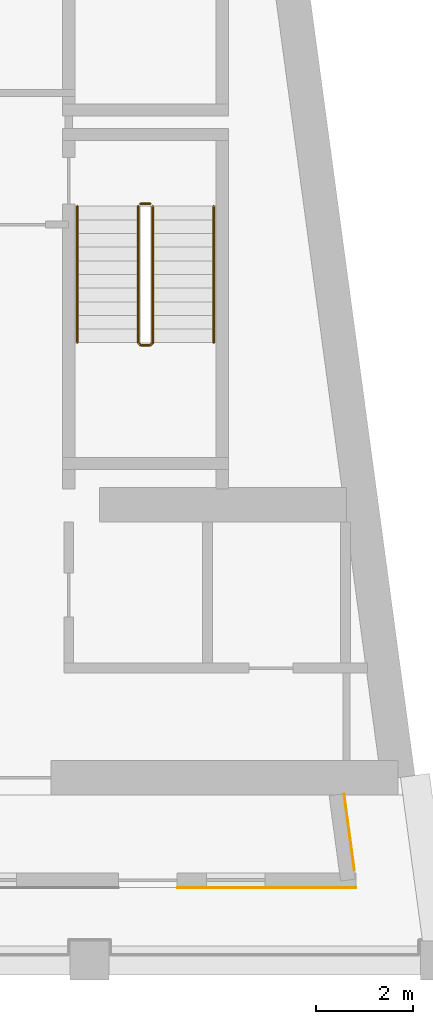
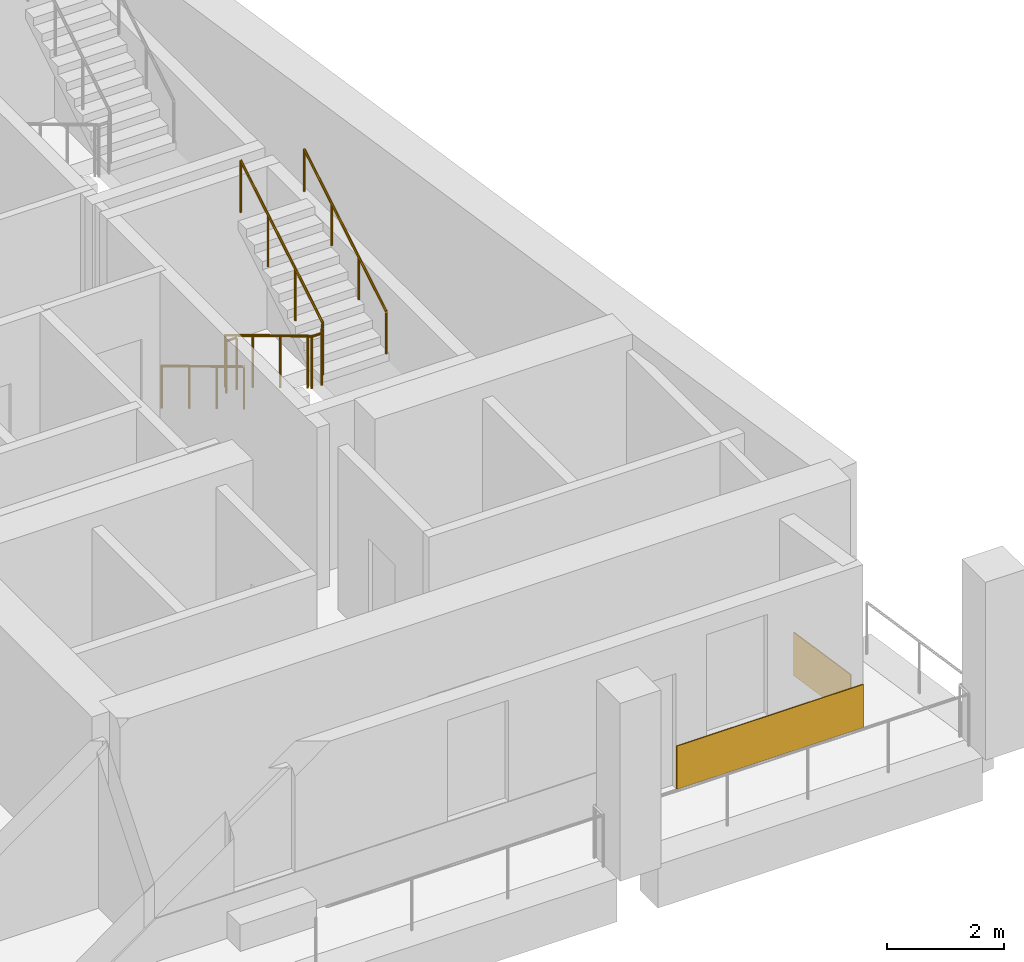
# One storey, part 11 of 14: 4 railings, 2 coverings.
"""IFC4 building model written with IfcOpenShell, lengths in metres."""

from ifc_helpers import new_model, si_unit, direction, frame, origin, origin_2d, place, context, subcontext, project, spatial, rectangle, circle, extrude, material, layer, layer_set, type_object, element, save


model = new_model("IFC4")

# Units and contexts
model_context = context("Model", 3, precision=1e-05, world=origin(), true_north=direction((0.0, 1.0)))
body_context = subcontext(model_context, "Body", "Model", "MODEL_VIEW")
ifc_project = project(units=[si_unit("LENGTHUNIT", "METRE"), si_unit("AREAUNIT", "SQUARE_METRE"), si_unit("VOLUMEUNIT", "CUBIC_METRE"), si_unit("PLANEANGLEUNIT", "RADIAN"), si_unit("MASSUNIT", "GRAM", prefix="KILO")], contexts=[model_context])

# Site, building, storey
site_placement = place(None, origin())
site = spatial("IfcSite", under=ifc_project, at=site_placement, CompositionType="ELEMENT")
building_placement = place(site_placement, origin())
building = spatial("IfcBuilding", under=site, at=building_placement, Name="Candeia Pilgrim Tower and Theatre", CompositionType="ELEMENT")
storey_placement = place(building_placement, frame((0.0, 0.0, 273.800048828125)))
storey = spatial("IfcBuildingStorey", under=building, at=storey_placement, Name="L66", CompositionType="ELEMENT", Elevation=273.800048828125)

# Coverings
ifc_material_1 = material(Name="Glazed ceramic tile bottle green")
ifc_layer = layer(ifc_material_1, 0.02001953125)
ifc_layer_set = layer_set([ifc_layer], Name="Glazed ceramic tile bottle green")
covering_type = type_object("IfcCoveringType", Name="Glazed ceramic tile bottle green", PredefinedType="CLADDING", material=ifc_layer_set)
covering_1_placement = place(storey_placement, frame((138.03662109375, 108.489990234375, 0.0), z_axis=(0.0, 0.0, 1.0), x_axis=(1.0, 0.0, 0.0)))
element("IfcCovering", 1, at=covering_1_placement, inside=storey, type_object=covering_type, Name="Tile cladding bottle green L66", PredefinedType="CLADDING", context=body_context, shape_type="SweptSolid", body=[
    extrude(rectangle(XDim=3.673095703125, YDim=0.02001953125, at=origin_2d()), origin(), (0.0, 0.0, 1.0), 0.89990234375),
])
covering_2_placement = place(storey_placement, frame((139.73095703125, 109.630615234375, 0.0), z_axis=(0.0, 0.0, 1.0), x_axis=(-0.133412012145, 0.991060661622, 0.0)))
element("IfcCovering", 2, at=covering_2_placement, inside=storey, type_object=covering_type, Name="Tile cladding bottle green L66", PredefinedType="CLADDING", context=body_context, shape_type="SweptSolid", body=[
    extrude(rectangle(XDim=1.595703125, YDim=0.02001953125, at=origin_2d()), origin(), (0.0, 0.0, 1.0), 0.89990234375),
])

# Railings
ifc_material_2 = material(Name="Stainless steel balustrade", Category="steel")
railing_type_1 = type_object("IfcRailingType", Name="RL-GUARD-1100", PredefinedType="GUARDRAIL", material=ifc_material_2)
railing_1_placement = place(storey_placement, frame((135.39794921875, 122.47509765625, 0.168212890625)))
element("IfcRailing", 3, at=railing_1_placement, inside=storey, type_object=railing_type_1, Name="L66 ST3 stair guard 1", PredefinedType="GUARDRAIL", context=body_context, shape_type="SweptSolid", body=[
    extrude(circle(Radius=0.02392578125, at=origin_2d()), frame((0.0, 0.0, 1.076171875), z_axis=(0.0, -0.857275202839, 0.514858452973), x_axis=(1.0, 0.0, 0.0)), (0.0, 0.0, 1.0), 3.26611328125),
    extrude(circle(Radius=0.02392578125, at=origin_2d()), frame((0.0, -2.800048828125, 2.7578125), z_axis=(0.707106781187, -0.707106781187, 0.0), x_axis=(0.707106781187, 0.707106781187, 0.0)), (0.0, 0.0, 1.0), 0.07080078125),
    extrude(circle(Radius=0.02392578125, at=origin_2d()), frame((0.050048828125, -2.85009765625, 2.7578125), z_axis=(1.0, 0.0, 0.0), x_axis=(0.0, 1.0, 0.0)), (0.0, 0.0, 1.0), 0.199951171875),
    extrude(circle(Radius=0.02392578125, at=origin_2d()), frame((0.25, -2.85009765625, 2.7578125), z_axis=(0.274243871929, 0.274243871929, 0.92172696468), x_axis=(-0.707106781187, 0.707106781187, 0.0)), (0.0, 0.0, 1.0), 0.1826171875),
    extrude(circle(Radius=0.02392578125, at=origin_2d()), frame((0.300048828125, -2.800048828125, 2.92578125), z_axis=(0.0, 0.857242210791, 0.514913383045), x_axis=(-1.0, 0.0, 0.0)), (0.0, 0.0, 1.0), 3.266357421875),
    extrude(circle(Radius=0.02099609375, at=origin_2d()), origin(), (0.0, 0.0, 1.0), 1.052001953125),
    extrude(circle(Radius=0.02099609375, at=origin_2d()), frame((0.0, -0.933349609375, 0.560546875)), (0.0, 0.0, 1.0), 1.052001953125),
    extrude(circle(Radius=0.02099609375, at=origin_2d()), frame((0.0, -1.86669921875, 1.12109375)), (0.0, 0.0, 1.0), 1.052001953125),
    extrude(circle(Radius=0.02099609375, at=origin_2d()), frame((0.0, -2.800048828125, 1.681640625)), (0.0, 0.0, 1.0), 1.052001953125),
    extrude(circle(Radius=0.02099609375, at=origin_2d()), frame((0.050048828125, -2.85009765625, 1.681640625)), (0.0, 0.0, 1.0), 1.052001953125),
    extrude(circle(Radius=0.02099609375, at=origin_2d()), frame((0.25, -2.85009765625, 1.681640625)), (0.0, 0.0, 1.0), 1.052001953125),
    extrude(circle(Radius=0.02099609375, at=origin_2d()), frame((0.300048828125, -2.800048828125, 1.849853515625)), (0.0, 0.0, 1.0), 1.052001953125),
    extrude(circle(Radius=0.02099609375, at=origin_2d()), frame((0.300048828125, -1.86669921875, 2.410400390625)), (0.0, 0.0, 1.0), 1.052001953125),
    extrude(circle(Radius=0.02099609375, at=origin_2d()), frame((0.300048828125, -0.933349609375, 2.97119140625)), (0.0, 0.0, 1.0), 1.052001953125),
    extrude(circle(Radius=0.02099609375, at=origin_2d()), frame((0.300048828125, 0.0, 3.53173828125)), (0.0, 0.0, 1.0), 1.052001953125),
])
railing_2_placement = place(storey_placement, frame((135.447998046875, 122.52490234375, 0.0)))
element("IfcRailing", 4, at=railing_2_placement, inside=storey, type_object=railing_type_1, Name="L66 ST3 stair guard 2", PredefinedType="GUARDRAIL", context=body_context, shape_type="SweptSolid", body=[
    extrude(circle(Radius=0.02392578125, at=origin_2d()), frame((0.0, 0.0, 1.076171875), z_axis=(1.0, 0.0, 0.0), x_axis=(0.0, 1.0, 0.0)), (0.0, 0.0, 1.0), 0.199951171875),
    extrude(circle(Radius=0.02099609375, at=origin_2d()), origin(), (0.0, 0.0, 1.0), 1.052001953125),
    extrude(circle(Radius=0.02099609375, at=origin_2d()), frame((0.199951171875, 0.0, 0.0)), (0.0, 0.0, 1.0), 1.052001953125),
])
ifc_material_3 = material(Name="Stainless steel handrail", Category="steel")
railing_type_2 = type_object("IfcRailingType", Name="RL-HANDRAIL-900", PredefinedType="HANDRAIL", material=ifc_material_3)
railing_3_placement = place(storey_placement, frame((134.14794921875, 122.47509765625, 0.168212890625)))
element("IfcRailing", 5, at=railing_3_placement, inside=storey, type_object=railing_type_2, Name="L66 ST3 stair handrail 1", PredefinedType="HANDRAIL", context=body_context, shape_type="SweptSolid", body=[
    extrude(circle(Radius=0.02392578125, at=origin_2d()), frame((0.0, 0.0, 0.8759765625), z_axis=(0.0, -0.857275202839, 0.514858452973), x_axis=(1.0, 0.0, 0.0)), (0.0, 0.0, 1.0), 3.26611328125),
    extrude(circle(Radius=0.02099609375, at=origin_2d()), origin(), (0.0, 0.0, 1.0), 0.851806640625),
    extrude(circle(Radius=0.02099609375, at=origin_2d()), frame((0.0, -0.933349609375, 0.560546875)), (0.0, 0.0, 1.0), 0.851806640625),
    extrude(circle(Radius=0.02099609375, at=origin_2d()), frame((0.0, -1.86669921875, 1.12109375)), (0.0, 0.0, 1.0), 0.851806640625),
    extrude(circle(Radius=0.02099609375, at=origin_2d()), frame((0.0, -2.800048828125, 1.681640625)), (0.0, 0.0, 1.0), 0.851806640625),
])
railing_4_placement = place(storey_placement, frame((136.947998046875, 119.675048828125, 2.01806640625)))
element("IfcRailing", 6, at=railing_4_placement, inside=storey, type_object=railing_type_2, Name="L66 ST3 stair handrail 2", PredefinedType="HANDRAIL", context=body_context, shape_type="SweptSolid", body=[
    extrude(circle(Radius=0.02392578125, at=origin_2d()), frame((0.0, 0.0, 0.8759765625), z_axis=(0.0, 0.857242210791, 0.514913383045), x_axis=(-1.0, 0.0, 0.0)), (0.0, 0.0, 1.0), 3.266357421875),
    extrude(circle(Radius=0.02099609375, at=origin_2d()), origin(), (0.0, 0.0, 1.0), 0.851806640625),
    extrude(circle(Radius=0.02099609375, at=origin_2d()), frame((0.0, 0.933349609375, 0.560546875)), (0.0, 0.0, 1.0), 0.851806640625),
    extrude(circle(Radius=0.02099609375, at=origin_2d()), frame((0.0, 1.86669921875, 1.121337890625)), (0.0, 0.0, 1.0), 0.851806640625),
    extrude(circle(Radius=0.02099609375, at=origin_2d()), frame((0.0, 2.800048828125, 1.681884765625)), (0.0, 0.0, 1.0), 0.851806640625),
])

save(model, "model.ifc")
